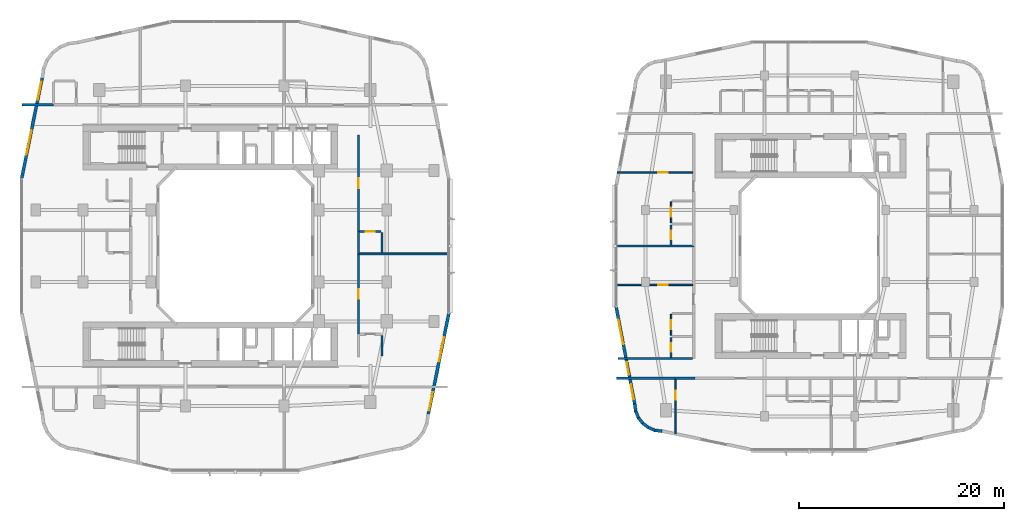
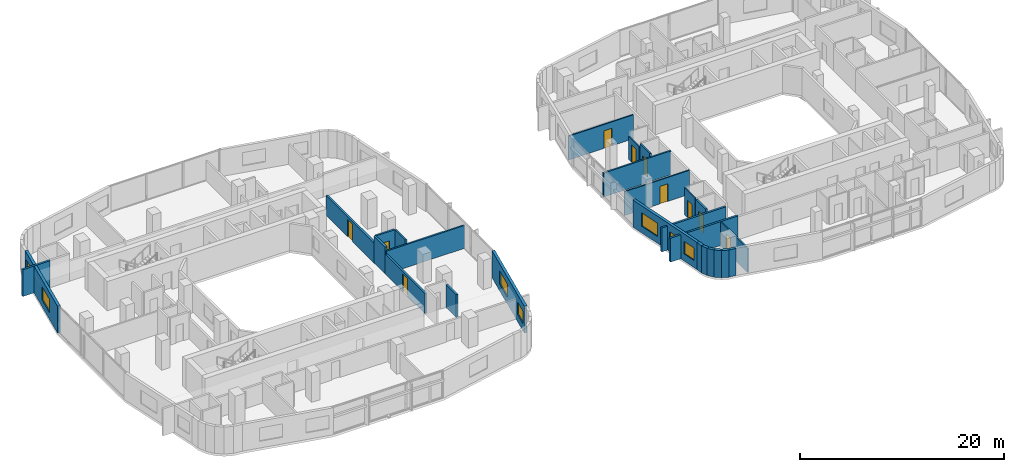
# One storey, part 15 of 26: 27 walls, 10 doors, 7 windows, 17 openings.
"""IFC4 building model written with IfcOpenShell, lengths in metres."""

import ifcopenshell
import ifcopenshell.guid

model = None  # the IFC model being written
_history = None  # IfcOwnerHistory: only IFC2X3 demands one
_inside = {}  # id of a spatial element -> (the spatial element, [elements in it])
_under = {}  # id of a project, library or spatial element -> (it, [spatial elements below it])
_declared = {}  # id of a project -> (the project, [libraries it declares])
_typed = {}  # id of a type object -> (the type object, [elements of that type])
_made_of = {}  # id of a material, layer set ... -> (it, [elements and type objects made of it])


def new_model(schema):
    """Start an empty IFC model of exactly this schema.

    Asked for "IFC4X3", IfcOpenShell would pick the latest addendum, in which some entities
    have other attributes; the version numbers below select the first issue.
    IFC2X3 requires an IfcOwnerHistory on every rooted entity: one is made here for all.
    """
    global model, _history
    if schema == "IFC4X3":
        model = ifcopenshell.file(schema_version=(4, 3, 0, 0))
    else:
        model = ifcopenshell.file(schema=schema)
    _inside.clear()
    _under.clear()
    _declared.clear()
    _typed.clear()
    _made_of.clear()
    _history = None
    if model.schema == "IFC2X3":
        org = make("IfcOrganization", Name="unknown")
        user = make(
            "IfcPersonAndOrganization",
            ThePerson=make("IfcPerson", FamilyName="unknown"),
            TheOrganization=org,
        )
        app = make(
            "IfcApplication",
            ApplicationDeveloper=org,
            Version="unknown",
            ApplicationFullName="unknown",
            ApplicationIdentifier="unknown",
        )
        _history = make(
            "IfcOwnerHistory",
            OwningUser=user,
            OwningApplication=app,
            ChangeAction="ADDED",
            CreationDate=0,
        )
    return model


def make(cls, **values):
    """One entity of the class cls with the attributes given. An attribute that is None is left unset."""
    return model.create_entity(
        cls, **{name: value for name, value in values.items() if value is not None}
    )


def rooted(cls, **values):
    """An entity with a GlobalId (a new one), such as an element, a storey or a relation."""
    return make(cls, GlobalId=ifcopenshell.guid.new(), OwnerHistory=_history, **values)


def si_unit(unit_type, name, prefix=None):
    """IfcSIUnit, for example si_unit("LENGTHUNIT", "METRE", prefix="MILLI")."""
    return make("IfcSIUnit", UnitType=unit_type, Prefix=prefix, Name=name)


def derived_unit(unit_type, elements):
    """IfcDerivedUnit: a product of units, each with its exponent."""
    return make(
        "IfcDerivedUnit",
        Elements=[
            make("IfcDerivedUnitElement", Unit=unit, Exponent=power)
            for unit, power in elements
        ],
        UnitType=unit_type,
    )


def assignment(units):
    """IfcUnitAssignment: the units of a project."""
    return None if units is None else make("IfcUnitAssignment", Units=units)


def point(xyz):
    """IfcCartesianPoint."""
    return None if xyz is None else make("IfcCartesianPoint", Coordinates=xyz)


def direction(xyz):
    """IfcDirection."""
    return None if xyz is None else make("IfcDirection", DirectionRatios=xyz)


def frame(location, z_axis=None, x_axis=None):
    """IfcAxis2Placement3D, a coordinate frame: its origin and axes. An axis left out is left unset."""
    return make(
        "IfcAxis2Placement3D",
        Location=point(location),
        Axis=direction(z_axis),
        RefDirection=direction(x_axis),
    )


def frame_2d(location, x_axis=None):
    """IfcAxis2Placement2D, a coordinate frame in the plane: its origin and x axis."""
    return make(
        "IfcAxis2Placement2D", Location=point(location), RefDirection=direction(x_axis)
    )


def origin():
    """The frame at (0, 0, 0) with its axes left unset."""
    return frame((0.0, 0.0, 0.0))


def place(relative_to, where):
    """IfcLocalPlacement: puts the frame where relative to a parent placement (None: the world)."""
    return make(
        "IfcLocalPlacement", PlacementRelTo=relative_to, RelativePlacement=where
    )


def context(
    kind, dimensions, precision=None, world=None, true_north=None, identifier=None
):
    """IfcGeometricRepresentationContext, for example the 3D "Model" context."""
    return make(
        "IfcGeometricRepresentationContext",
        ContextIdentifier=identifier,
        ContextType=kind,
        CoordinateSpaceDimension=dimensions,
        Precision=precision,
        WorldCoordinateSystem=world,
        TrueNorth=true_north,
    )


def subcontext(parent, identifier, kind, view, scale=None):
    """IfcGeometricRepresentationSubContext, for example "Body" below "Model"."""
    return make(
        "IfcGeometricRepresentationSubContext",
        ContextIdentifier=identifier,
        ContextType=kind,
        ParentContext=parent,
        TargetScale=scale,
        TargetView=view,
    )


def project(units=None, contexts=None):
    """IfcProject with its units and contexts."""
    return rooted(
        "IfcProject",
        Name="project",
        RepresentationContexts=contexts,
        UnitsInContext=assignment(units),
    )


def spatial(cls, under=None, at=None, **own):
    """A site, building, storey or space (cls), placed at a placement, below another one or the project."""
    s = rooted(cls, ObjectPlacement=at, **own)
    if under is not None:
        _under.setdefault(under.id(), (under, []))[1].append(s)
    return s


def profile(cls, at=None, kind="AREA", **sizes):
    """A parametric profile (cls). Its sizes go by their IFC names, for example OverallWidth=200.0."""
    return make(cls, ProfileType=kind, Position=at, **sizes)


def rectangle(**sizes):
    """IfcRectangleProfileDef."""
    return profile("IfcRectangleProfileDef", **sizes)


def extrude(swept, where, along, depth):
    """IfcExtrudedAreaSolid: the profile swept, set in the frame where, extruded along a direction by depth."""
    return make(
        "IfcExtrudedAreaSolid",
        SweptArea=swept,
        Position=where,
        ExtrudedDirection=direction(along),
        Depth=depth,
    )


def shape(context_of_items, identifier, shape_type, items):
    """IfcShapeRepresentation: the items that make up one representation, for example the "Body"."""
    return make(
        "IfcShapeRepresentation",
        ContextOfItems=context_of_items,
        RepresentationIdentifier=identifier,
        RepresentationType=shape_type,
        Items=items,
    )


def material(Name=None, Category=None):
    """IfcMaterial."""
    return make("IfcMaterial", Name=Name, Category=Category)


def layer(
    of_material, thickness, ventilated=None, Name=None, Category=None, Priority=None
):
    """IfcMaterialLayer: one layer of a wall or slab, of a material (None: an air gap)."""
    return make(
        "IfcMaterialLayer",
        Material=of_material,
        LayerThickness=thickness,
        IsVentilated=ventilated,
        Name=Name,
        Category=Category,
        Priority=Priority,
    )


def layer_set(layers, Name=None):
    """IfcMaterialLayerSet."""
    return make("IfcMaterialLayerSet", MaterialLayers=layers, LayerSetName=Name)


def made_of(thing, what):
    """Note that an element or type object is made of a material, layer set ...; save() writes the relation."""
    if what is not None:
        _made_of.setdefault(what.id(), (what, []))[1].append(thing)
    return thing


def type_object(cls, material=None, **own):
    """A type object (cls), such as IfcWallType, which elements share."""
    return made_of(rooted(cls, **own), material)


def element(
    cls,
    number,
    at=None,
    inside=None,
    cuts=None,
    type_object=None,
    material=None,
    context=None,
    identifier="Body",
    shape_type=None,
    held_by="IfcProductDefinitionShape",
    body=None,
    shapes=None,
    **own,
):
    """One element of the class cls, such as IfcWall. Its Tag is "e" and its number.

    at: its placement. inside: the storey or other place that contains it. cuts: it is an
    opening in that element (IfcRelVoidsElement). A single representation is given by context,
    identifier, shape_type and body (its items); several are given by shapes. held_by: the class
    of the entity that holds the representations. save() writes the other relations.
    """
    e = rooted(cls, Tag="e%d" % number, ObjectPlacement=at, **own)
    if body is not None:
        shapes = [shape(context, identifier, shape_type, body)]
    if shapes is not None:
        e.Representation = make(held_by, Representations=shapes)
    if inside is not None:
        _inside.setdefault(inside.id(), (inside, []))[1].append(e)
    if cuts is not None:
        rooted(
            "IfcRelVoidsElement", RelatingBuildingElement=cuts, RelatedOpeningElement=e
        )
    if type_object is not None:
        _typed.setdefault(type_object.id(), (type_object, []))[1].append(e)
    return made_of(e, material)


def fill(opening, filler):
    """IfcRelFillsElement: the door or window that sits in an opening."""
    return rooted(
        "IfcRelFillsElement",
        RelatingOpeningElement=opening,
        RelatedBuildingElement=filler,
    )


def aggregate(whole, parts):
    """IfcRelAggregates: a whole, such as a stair, and the parts it consists of."""
    return rooted("IfcRelAggregates", RelatingObject=whole, RelatedObjects=parts)


def save(model, path):
    """Write the relations noted so far, then the file.

    IfcRelAggregates (storeys below a building ...), IfcRelContainedInSpatialStructure (elements
    in a storey), IfcRelDefinesByType, IfcRelAssociatesMaterial and IfcRelDeclares: one each for
    every whole, place, type object, material and project.
    """
    for whole, parts in _under.values():
        aggregate(whole, parts)
    for where, things in _inside.values():
        rooted(
            "IfcRelContainedInSpatialStructure",
            RelatedElements=things,
            RelatingStructure=where,
        )
    for kind, things in _typed.values():
        rooted("IfcRelDefinesByType", RelatedObjects=things, RelatingType=kind)
    for what, things in _made_of.values():
        rooted("IfcRelAssociatesMaterial", RelatedObjects=things, RelatingMaterial=what)
    for by, libraries in _declared.values():
        rooted("IfcRelDeclares", RelatingContext=by, RelatedDefinitions=libraries)
    model.write(path)


model = new_model("IFC4")

# Units and contexts
model_context = context("Model", 3, precision=1e-05, world=origin(), true_north=direction((0.0, 1.0)))
body_context = subcontext(model_context, "Body", "Model", "MODEL_VIEW")
ifc_project = project(units=[si_unit("LENGTHUNIT", "METRE"), si_unit("AREAUNIT", "SQUARE_METRE"), si_unit("VOLUMEUNIT", "CUBIC_METRE"), si_unit("PLANEANGLEUNIT", "RADIAN"), si_unit("MASSUNIT", "GRAM", prefix="KILO"), derived_unit("THERMALTRANSMITTANCEUNIT", [(si_unit("POWERUNIT", "WATT"), 1), (si_unit("LENGTHUNIT", "METRE"), -2), (si_unit("THERMODYNAMICTEMPERATUREUNIT", "KELVIN"), -1)])], contexts=[model_context])

# Site, building, storey
site_placement = place(None, origin())
site = spatial("IfcSite", under=ifc_project, at=site_placement, CompositionType="ELEMENT")
building_placement = place(site_placement, origin())
building = spatial("IfcBuilding", under=site, at=building_placement, Name="Kivonza Crest Hotel", CompositionType="ELEMENT")
storey_placement = place(building_placement, frame((0.0, 0.0, 45.0)))
storey = spatial("IfcBuildingStorey", under=building, at=storey_placement, Name="L11", CompositionType="ELEMENT", Elevation=45.0)

# Walls
ifc_material_1 = material(Name="High-density acoustic masonry inter-tenancy wall", Category="masonry")
ifc_layer_1 = layer(ifc_material_1, 0.179931640625)
ifc_layer_set_1 = layer_set([ifc_layer_1], Name="High-density acoustic masonry inter-tenancy wall")
wall_type_1 = type_object("IfcWallType", Name="WL-ACOU-180", PredefinedType="SOLIDWALL", material=ifc_layer_set_1)
wall_1_placement = place(storey_placement, frame((33.050048828125, 24.22998046875, 0.0), z_axis=(0.0, 0.0, 1.0), x_axis=(1.0, 0.0, 0.0)))
element("IfcWall", 1, at=wall_1_placement, inside=storey, type_object=wall_type_1, Name="L11 interior partition WA-L11-T1E-DIV1", PredefinedType="SOLIDWALL", context=body_context, shape_type="SweptSolid", body=[
    extrude(rectangle(XDim=8.889892578125, YDim=0.179931640625, at=frame_2d((4.44482421875, 0.0))), origin(), (0.0, 0.0, 1.0), 2.7451171875),
])
wall_2_placement = place(storey_placement, frame((58.06005859375, 25.0, 0.0), z_axis=(0.0, 0.0, 1.0), x_axis=(1.0, 0.0, 0.0)))
element("IfcWall", 2, at=wall_2_placement, inside=storey, type_object=wall_type_1, Name="L11 interior partition WA-L11-T2W-DIV1", PredefinedType="SOLIDWALL", context=body_context, shape_type="SweptSolid", body=[
    extrude(rectangle(XDim=7.639892578125, YDim=0.179931640625, at=frame_2d((3.81982421875, 0.0))), origin(), (0.0, 0.0, 1.0), 2.864990234375),
])
ifc_material_2 = material(Name="Autoclaved aerated concrete blockwork", Category="masonry")
ifc_layer_2 = layer(ifc_material_2, 0.219970703125)
ifc_layer_set_2 = layer_set([ifc_layer_2], Name="Autoclaved aerated concrete blockwork")
wall_type_2 = type_object("IfcWallType", Name="WL-ACOU-220", PredefinedType="SOLIDWALL", material=ifc_layer_set_2)
wall_3_placement = place(storey_placement, frame((0.239990234375, 38.75, 0.0), z_axis=(0.0, 0.0, 1.0), x_axis=(1.0, 0.0, 0.0)))
element("IfcWall", 3, at=wall_3_placement, inside=storey, type_object=wall_type_2, Name="L11 interior partition WA-L11-N01-XCORR", PredefinedType="SOLIDWALL", context=body_context, shape_type="SweptSolid", body=[
    extrude(rectangle(XDim=3.110107421875, YDim=0.219970703125, at=frame_2d((1.55517578125, 0.0))), origin(), (0.0, 0.0, 1.0), 3.219970703125),
])

# Wall, opening, door
wall_4_placement = place(storey_placement, frame((33.050048828125, 16.39990234375, 0.0), z_axis=(0.0, 0.0, 1.0), x_axis=(0.0, 1.0, 0.0)))
wall_4 = element("IfcWall", 4, at=wall_4_placement, inside=storey, type_object=wall_type_2, Name="L11 interior partition WA-L11-E07-MCORR", PredefinedType="SOLIDWALL", context=body_context, shape_type="SweptSolid", body=[
    extrude(rectangle(XDim=7.830078125, YDim=0.219970703125, at=frame_2d((3.9150390625, 0.0))), origin(), (0.0, 0.0, 1.0), 2.39501953125),
])
opening_1_placement = place(wall_4_placement, frame((3.43994140625, 0.0, 0.0)))
opening_1 = element("IfcOpeningElement", 5, at=opening_1_placement, cuts=wall_4, Name="Opening DU-60", PredefinedType="OPENING", context=body_context, shape_type="SweptSolid", body=[
    extrude(rectangle(XDim=0.949951171875, YDim=2.10009765625, at=frame_2d((0.47509765625, 1.050048828125))), frame((0.0, 0.1201171875, 0.0), z_axis=(0.0, -1.0, 0.0), x_axis=(1.0, 0.0, 0.0)), (0.0, 0.0, 1.0), 0.239990234375),
])
ifc_material_3 = material(Name="Hardwood timber oak", Category="wood")
door_type_1 = type_object("IfcDoorType", Name="DR-UNIT-950", OperationType="NOTDEFINED", PredefinedType="DOOR", material=ifc_material_3)
door_1_placement = place(opening_1_placement, frame((0.949951171875, 0.0, 0.0), z_axis=(0.0, 0.0, 1.0), x_axis=(-1.0, 0.0, 0.0)))
door_1 = element("IfcDoor", 6, at=door_1_placement, inside=storey, type_object=door_type_1, Name="L11 E07 guest unit entrance fire door", OperationType="SINGLE_SWING_LEFT", OverallHeight=2.10009765625, OverallWidth=0.949951171875, PredefinedType="DOOR", context=body_context, shape_type="SweptSolid", body=[
    extrude(rectangle(XDim=0.949951171875, YDim=2.10009765625, at=frame_2d((0.47509765625, 1.050048828125))), frame((0.0, 0.02490234375, 0.0), z_axis=(0.0, -1.0, 0.0), x_axis=(1.0, 0.0, 0.0)), (0.0, 0.0, 1.0), 0.050048828125),
])
fill(opening_1, door_1)

# Wall
wall_5_placement = place(storey_placement, frame((33.050048828125, 24.22998046875, 0.0), z_axis=(0.0, 0.0, 1.0), x_axis=(0.0, 1.0, 0.0)))
element("IfcWall", 7, at=wall_5_placement, inside=storey, type_object=wall_type_2, Name="L11 interior partition WA-L11-E08-BCORR", PredefinedType="SOLIDWALL", context=body_context, shape_type="SweptSolid", body=[
    extrude(rectangle(XDim=2.199951171875, YDim=0.219970703125, at=frame_2d((1.10009765625, 0.0))), origin(), (0.0, 0.0, 1.0), 3.219970703125),
])

# Wall, opening, door
wall_6_placement = place(storey_placement, frame((33.050048828125, 26.429931640625, 0.0), z_axis=(0.0, 0.0, 1.0), x_axis=(0.0, 1.0, 0.0)))
wall_6 = element("IfcWall", 8, at=wall_6_placement, inside=storey, type_object=wall_type_2, Name="L11 interior partition WA-L11-E08-MCORR", PredefinedType="SOLIDWALL", context=body_context, shape_type="SweptSolid", body=[
    extrude(rectangle(XDim=9.3701171875, YDim=0.219970703125, at=frame_2d((4.68505859375, 0.0))), origin(), (0.0, 0.0, 1.0), 2.39501953125),
])
opening_2_placement = place(wall_6_placement, frame((4.2099609375, 0.0, 0.0)))
opening_2 = element("IfcOpeningElement", 9, at=opening_2_placement, cuts=wall_6, Name="Opening DU-60", PredefinedType="OPENING", context=body_context, shape_type="SweptSolid", body=[
    extrude(rectangle(XDim=0.949951171875, YDim=2.10009765625, at=frame_2d((0.47509765625, 1.050048828125))), frame((0.0, 0.1201171875, 0.0), z_axis=(0.0, -1.0, 0.0), x_axis=(1.0, 0.0, 0.0)), (0.0, 0.0, 1.0), 0.239990234375),
])
door_2_placement = place(opening_2_placement, frame((0.949951171875, 0.0, 0.0), z_axis=(0.0, 0.0, 1.0), x_axis=(-1.0, 0.0, 0.0)))
door_2 = element("IfcDoor", 10, at=door_2_placement, inside=storey, type_object=door_type_1, Name="L11 E08 guest unit entrance fire door", OperationType="SINGLE_SWING_RIGHT", OverallHeight=2.10009765625, OverallWidth=0.949951171875, PredefinedType="DOOR", context=body_context, shape_type="SweptSolid", body=[
    extrude(rectangle(XDim=0.949951171875, YDim=2.10009765625, at=frame_2d((0.47509765625, 1.050048828125))), frame((0.0, 0.02490234375, 0.0), z_axis=(0.0, -1.0, 0.0), x_axis=(1.0, 0.0, 0.0)), (0.0, 0.0, 1.0), 0.050048828125),
])
fill(opening_2, door_2)

# Walls
wall_7_placement = place(storey_placement, frame((58.159912109375, 12.10009765625, 0.0), z_axis=(0.0, 0.0, 1.0), x_axis=(1.0, 0.0, 0.0)))
element("IfcWall", 11, at=wall_7_placement, inside=storey, type_object=wall_type_2, Name="L11 interior partition WA-L11-A03-LCORR", PredefinedType="SOLIDWALL", context=body_context, shape_type="SweptSolid", body=[
    extrude(rectangle(XDim=7.690185546875, YDim=0.219970703125, at=frame_2d((3.84521484375, 0.0))), origin(), (0.0, 0.0, 1.0), 2.864990234375),
])
wall_8_placement = place(storey_placement, frame((58.320068359375, 14.0400390625, 0.0), z_axis=(0.0, 0.0, 1.0), x_axis=(1.0, 0.0, 0.0)))
element("IfcWall", 12, at=wall_8_placement, inside=storey, type_object=wall_type_2, Name="L11 interior partition WA-L11-T2W-ENDS", PredefinedType="SOLIDWALL", context=body_context, shape_type="SweptSolid", body=[
    extrude(rectangle(XDim=7.280029296875, YDim=0.219970703125, at=frame_2d((3.64013671875, 0.0))), origin(), (0.0, 0.0, 1.0), 2.864990234375),
])

# Wall, openings, windows
ifc_material_4 = material(Name="Precast concrete C40/50", Category="concrete")
ifc_layer_3 = layer(ifc_material_4, 0.300048828125)
ifc_layer_set_3 = layer_set([ifc_layer_3], Name="Precast concrete C40/50")
wall_type_3 = type_object("IfcWallType", Name="WL-EXT-300", PredefinedType="STANDARD", material=ifc_layer_set_3)
wall_9_placement = place(storey_placement, frame((39.85107421875, 8.6220703125, 0.0), z_axis=(0.0, 0.0, 1.0), x_axis=(0.199990901713, 0.979797754249, 0.0)))
wall_9 = element("IfcWall", 13, at=wall_9_placement, inside=storey, type_object=wall_type_3, Name="L11 T1 exterior insulated wall 16", PredefinedType="STANDARD", context=body_context, shape_type="SweptSolid", body=[
    extrude(rectangle(XDim=10.065185546875, YDim=0.300048828125, at=frame_2d((5.03271484375, 0.0))), origin(), (0.0, 0.0, 1.0), 3.219970703125),
])
opening_3_placement = place(wall_9_placement, frame((0.3779296875, 0.0, 0.85009765625)))
opening_3 = element("IfcOpeningElement", 14, at=opening_3_placement, cuts=wall_9, Name="Opening WN-03", PredefinedType="OPENING", context=body_context, shape_type="SweptSolid", body=[
    extrude(rectangle(XDim=1.800048828125, YDim=1.5, at=frame_2d((0.89990234375, 0.75))), frame((0.0, 0.16015625, 0.0), z_axis=(0.0, -1.0, 0.0), x_axis=(1.0, 0.0, 0.0)), (0.0, 0.0, 1.0), 0.320068359375),
])
opening_4_placement = place(wall_9_placement, frame((5.236083984375, 0.0, 0.800048828125)))
opening_4 = element("IfcOpeningElement", 15, at=opening_4_placement, cuts=wall_9, Name="Opening WN-05", PredefinedType="OPENING", context=body_context, shape_type="SweptSolid", body=[
    extrude(rectangle(XDim=2.39990234375, YDim=1.60009765625, at=frame_2d((1.199951171875, 0.800048828125))), frame((0.0, 0.16015625, 0.0), z_axis=(0.0, -1.0, 0.0), x_axis=(1.0, 0.0, 0.0)), (0.0, 0.0, 1.0), 0.320068359375),
])
ifc_material_5 = material(Name="Thermally broken bronze aluminium and low-E double glazing", Category="aluminium")
window_type_1 = type_object("IfcWindowType", Name="WN-180x150", PartitioningType="DOUBLE_PANEL_VERTICAL", PredefinedType="WINDOW", material=ifc_material_5)
window_1_placement = place(opening_3_placement, origin())
window_1 = element("IfcWindow", 16, at=window_1_placement, inside=storey, type_object=window_type_1, Name="L11 T1 facade window 16 bay 1", OverallHeight=1.5, OverallWidth=1.800048828125, PartitioningType="SINGLE_PANEL", PredefinedType="WINDOW", context=body_context, shape_type="SweptSolid", body=[
    extrude(rectangle(XDim=1.800048828125, YDim=1.5, at=frame_2d((0.89990234375, 0.75))), frame((0.0, 0.030029296875, 0.0), z_axis=(0.0, -1.0, 0.0), x_axis=(1.0, 0.0, 0.0)), (0.0, 0.0, 1.0), 0.06005859375),
])
fill(opening_3, window_1)
window_type_2 = type_object("IfcWindowType", Name="WN-240x160", PartitioningType="TRIPLE_PANEL_VERTICAL", PredefinedType="WINDOW", material=ifc_material_5)
window_2_placement = place(opening_4_placement, origin())
window_2 = element("IfcWindow", 17, at=window_2_placement, inside=storey, type_object=window_type_2, Name="L11 T1 facade window 16 bay 2", OverallHeight=1.60009765625, OverallWidth=2.39990234375, PartitioningType="SINGLE_PANEL", PredefinedType="WINDOW", context=body_context, shape_type="SweptSolid", body=[
    extrude(rectangle(XDim=2.39990234375, YDim=1.60009765625, at=frame_2d((1.199951171875, 0.800048828125))), frame((0.0, 0.030029296875, 0.0), z_axis=(0.0, -1.0, 0.0), x_axis=(1.0, 0.0, 0.0)), (0.0, 0.0, 1.0), 0.06005859375),
])
fill(opening_4, window_2)

wall_10_placement = place(storey_placement, frame((2.22900390625, 41.3779296875, 0.0), z_axis=(0.0, 0.0, 1.0), x_axis=(-0.199990901713, -0.979797754249, 0.0)))
wall_10 = element("IfcWall", 18, at=wall_10_placement, inside=storey, type_object=wall_type_3, Name="L11 T1 exterior insulated wall 34", PredefinedType="STANDARD", context=body_context, shape_type="SweptSolid", body=[
    extrude(rectangle(XDim=10.065185546875, YDim=0.300048828125, at=frame_2d((5.03271484375, 0.0))), origin(), (0.0, 0.0, 1.0), 3.219970703125),
])
opening_5_placement = place(wall_10_placement, frame((0.3779296875, 0.0, 0.85009765625)))
opening_5 = element("IfcOpeningElement", 19, at=opening_5_placement, cuts=wall_10, Name="Opening WN-03", PredefinedType="OPENING", context=body_context, shape_type="SweptSolid", body=[
    extrude(rectangle(XDim=1.800048828125, YDim=1.5, at=frame_2d((0.89990234375, 0.75))), frame((0.0, 0.16015625, 0.0), z_axis=(0.0, -1.0, 0.0), x_axis=(1.0, 0.0, 0.0)), (0.0, 0.0, 1.0), 0.320068359375),
])
opening_6_placement = place(wall_10_placement, frame((5.236083984375, 0.0, 0.800048828125)))
opening_6 = element("IfcOpeningElement", 20, at=opening_6_placement, cuts=wall_10, Name="Opening WN-05", PredefinedType="OPENING", context=body_context, shape_type="SweptSolid", body=[
    extrude(rectangle(XDim=2.39990234375, YDim=1.60009765625, at=frame_2d((1.199951171875, 0.800048828125))), frame((0.0, 0.16015625, 0.0), z_axis=(0.0, -1.0, 0.0), x_axis=(1.0, 0.0, 0.0)), (0.0, 0.0, 1.0), 0.320068359375),
])
window_3_placement = place(opening_5_placement, origin())
window_3 = element("IfcWindow", 21, at=window_3_placement, inside=storey, type_object=window_type_1, Name="L11 T1 facade window 34 bay 1", OverallHeight=1.5, OverallWidth=1.800048828125, PartitioningType="SINGLE_PANEL", PredefinedType="WINDOW", context=body_context, shape_type="SweptSolid", body=[
    extrude(rectangle(XDim=1.800048828125, YDim=1.5, at=frame_2d((0.89990234375, 0.75))), frame((0.0, 0.030029296875, 0.0), z_axis=(0.0, -1.0, 0.0), x_axis=(1.0, 0.0, 0.0)), (0.0, 0.0, 1.0), 0.06005859375),
])
fill(opening_5, window_3)
window_4_placement = place(opening_6_placement, origin())
window_4 = element("IfcWindow", 22, at=window_4_placement, inside=storey, type_object=window_type_2, Name="L11 T1 facade window 34 bay 2", OverallHeight=1.60009765625, OverallWidth=2.39990234375, PartitioningType="SINGLE_PANEL", PredefinedType="WINDOW", context=body_context, shape_type="SweptSolid", body=[
    extrude(rectangle(XDim=2.39990234375, YDim=1.60009765625, at=frame_2d((1.199951171875, 0.800048828125))), frame((0.0, 0.030029296875, 0.0), z_axis=(0.0, -1.0, 0.0), x_axis=(1.0, 0.0, 0.0)), (0.0, 0.0, 1.0), 0.06005859375),
])
fill(opening_6, window_4)

# Walls
wall_11_placement = place(storey_placement, frame((59.947998046875, 9.626953125, 0.0), z_axis=(0.0, 0.0, 1.0), x_axis=(0.130255288807, -0.991480488834, 0.0)))
element("IfcWall", 23, at=wall_11_placement, inside=storey, type_object=wall_type_3, Name="L11 T2 exterior insulated wall 1", PredefinedType="STANDARD", context=body_context, shape_type="SweptSolid", body=[
    extrude(rectangle(XDim=0.72900390625, YDim=0.300048828125, at=frame_2d((0.364501953125, 0.0))), origin(), (0.0, 0.0, 1.0), 3.25),
])
for number, where, z_axis, x_axis, name in (
    (24, (60.02392578125, 8.955078125, 0.0), (0.0, 0.0, 1.0), (0.383546213491, -0.923521684703, 0.0), "L11 T2 exterior insulated wall 2"),
    (25, (60.279052734375, 8.31103515625, 0.0), (0.0, 0.0, 1.0), (0.608397189915, -0.79363269798, 0.0), "L11 T2 exterior insulated wall 3"),
    (26, (60.69091796875, 7.75390625, 0.0), (0.0, 0.0, 1.0), (0.79363269798, -0.608397189915, 0.0), "L11 T2 exterior insulated wall 4"),
    (27, (61.23388671875, 7.323974609375, 0.0), (0.0, 0.0, 1.0), (0.923685632463, -0.383151213466, 0.0), "L11 T2 exterior insulated wall 5"),
):
    element("IfcWall", number, at=place(storey_placement, frame(where, z_axis=z_axis, x_axis=x_axis)), inside=storey, type_object=wall_type_3, Name=name, PredefinedType="STANDARD", context=body_context, shape_type="SweptSolid", body=[
        extrude(rectangle(XDim=0.74609375, YDim=0.300048828125, at=frame_2d((0.373046875, 0.0))), origin(), (0.0, 0.0, 1.0), 3.25),
    ])
wall_12_placement = place(storey_placement, frame((61.868896484375, 7.047119140625, 0.0), z_axis=(0.0, 0.0, 1.0), x_axis=(0.991559404866, -0.129653178221, 0.0)))
element("IfcWall", 28, at=wall_12_placement, inside=storey, type_object=wall_type_3, Name="L11 T2 exterior insulated wall 6", PredefinedType="STANDARD", context=body_context, shape_type="SweptSolid", body=[
    extrude(rectangle(XDim=0.764404296875, YDim=0.300048828125, at=frame_2d((0.38232421875, 0.0))), origin(), (0.0, 0.0, 1.0), 3.25),
])

# Wall, openings, windows
wall_13_placement = place(storey_placement, frame((58.136962890625, 19.08203125, 0.0), z_axis=(0.0, 0.0, 1.0), x_axis=(0.188087874316, -0.982152203854, 0.0)))
wall_13 = element("IfcWall", 29, at=wall_13_placement, inside=storey, type_object=wall_type_3, Name="L11 T2 exterior insulated wall 36", PredefinedType="STANDARD", context=body_context, shape_type="SweptSolid", body=[
    extrude(rectangle(XDim=9.6337890625, YDim=0.300048828125, at=frame_2d((4.81689453125, 0.0))), origin(), (0.0, 0.0, 1.0), 3.25),
])
opening_7_placement = place(wall_13_placement, frame((1.305908203125, 0.0, 0.800048828125)))
opening_7 = element("IfcOpeningElement", 30, at=opening_7_placement, cuts=wall_13, Name="Opening WN-05", PredefinedType="OPENING", context=body_context, shape_type="SweptSolid", body=[
    extrude(rectangle(XDim=2.39990234375, YDim=1.60009765625, at=frame_2d((1.199951171875, 0.800048828125))), frame((0.0, 0.16015625, 0.0), z_axis=(0.0, -1.0, 0.0), x_axis=(1.0, 0.0, 0.0)), (0.0, 0.0, 1.0), 0.320068359375),
])
opening_8_placement = place(wall_13_placement, frame((5.52099609375, 0.0, 0.85009765625)))
opening_8 = element("IfcOpeningElement", 31, at=opening_8_placement, cuts=wall_13, Name="Opening WN-01", PredefinedType="OPENING", context=body_context, shape_type="SweptSolid", body=[
    extrude(rectangle(XDim=1.199951171875, YDim=1.5, at=frame_2d((0.60009765625, 0.75))), frame((0.0, 0.16015625, 0.0), z_axis=(0.0, -1.0, 0.0), x_axis=(1.0, 0.0, 0.0)), (0.0, 0.0, 1.0), 0.320068359375),
])
opening_9_placement = place(wall_13_placement, frame((7.681884765625, 0.0, 0.85009765625)))
opening_9 = element("IfcOpeningElement", 32, at=opening_9_placement, cuts=wall_13, Name="Opening WN-02", PredefinedType="OPENING", context=body_context, shape_type="SweptSolid", body=[
    extrude(rectangle(XDim=1.5, YDim=1.5, at=frame_2d((0.75, 0.75))), frame((0.0, 0.16015625, 0.0), z_axis=(0.0, -1.0, 0.0), x_axis=(1.0, 0.0, 0.0)), (0.0, 0.0, 1.0), 0.320068359375),
])
window_type_3 = type_object("IfcWindowType", Name="WN-120x150", PartitioningType="SINGLE_PANEL", PredefinedType="WINDOW", material=ifc_material_5)
window_5_placement = place(opening_8_placement, origin())
window_5 = element("IfcWindow", 33, at=window_5_placement, inside=storey, type_object=window_type_3, Name="L11 T2 facade window 36 bay 2", OverallHeight=1.5, OverallWidth=1.199951171875, PartitioningType="SINGLE_PANEL", PredefinedType="WINDOW", context=body_context, shape_type="SweptSolid", body=[
    extrude(rectangle(XDim=1.199951171875, YDim=1.5, at=frame_2d((0.60009765625, 0.75))), frame((0.0, 0.030029296875, 0.0), z_axis=(0.0, -1.0, 0.0), x_axis=(1.0, 0.0, 0.0)), (0.0, 0.0, 1.0), 0.06005859375),
])
fill(opening_8, window_5)
window_type_4 = type_object("IfcWindowType", Name="WN-150x150", PartitioningType="DOUBLE_PANEL_VERTICAL", PredefinedType="WINDOW", material=ifc_material_5)
window_6_placement = place(opening_9_placement, origin())
window_6 = element("IfcWindow", 34, at=window_6_placement, inside=storey, type_object=window_type_4, Name="L11 T2 facade window 36 bay 3", OverallHeight=1.5, OverallWidth=1.5, PartitioningType="SINGLE_PANEL", PredefinedType="WINDOW", context=body_context, shape_type="SweptSolid", body=[
    extrude(rectangle(XDim=1.5, YDim=1.5, at=frame_2d((0.75, 0.75))), frame((0.0, 0.030029296875, 0.0), z_axis=(0.0, -1.0, 0.0), x_axis=(1.0, 0.0, 0.0)), (0.0, 0.0, 1.0), 0.06005859375),
])
fill(opening_9, window_6)
window_7_placement = place(opening_7_placement, origin())
window_7 = element("IfcWindow", 35, at=window_7_placement, inside=storey, type_object=window_type_2, Name="L11 T2 facade window 36 bay 1", OverallHeight=1.60009765625, OverallWidth=2.39990234375, PartitioningType="SINGLE_PANEL", PredefinedType="WINDOW", context=body_context, shape_type="SweptSolid", body=[
    extrude(rectangle(XDim=2.39990234375, YDim=1.60009765625, at=frame_2d((1.199951171875, 0.800048828125))), frame((0.0, 0.030029296875, 0.0), z_axis=(0.0, -1.0, 0.0), x_axis=(1.0, 0.0, 0.0)), (0.0, 0.0, 1.0), 0.06005859375),
])
fill(opening_7, window_7)

# Wall, opening, door
ifc_material_6 = material(Name="Twin-stud acoustic gypsum board partition", Category="gypsum")
ifc_layer_4 = layer(ifc_material_6, 0.14990234375)
ifc_layer_set_4 = layer_set([ifc_layer_4], Name="Twin-stud acoustic gypsum board partition")
wall_type_4 = type_object("IfcWallType", Name="WL-PART-150", PredefinedType="PARTITIONING", material=ifc_layer_set_4)
wall_14_placement = place(storey_placement, frame((63.909912109375, 6.68896484375, 0.0), z_axis=(0.0, 0.0, 1.0), x_axis=(0.0, 1.0, 0.0)))
wall_14 = element("IfcWall", 36, at=wall_14_placement, inside=storey, type_object=wall_type_4, Name="L11 interior partition WP-L11-A03-BDW1", PredefinedType="PARTITIONING", context=body_context, shape_type="SweptSolid", body=[
    extrude(rectangle(XDim=5.31103515625, YDim=0.14990234375, at=frame_2d((2.655517578125, 0.0))), origin(), (0.0, 0.0, 1.0), 2.864990234375),
])
opening_10_placement = place(wall_14_placement, frame((3.31005859375, 0.0, 0.0)))
opening_10 = element("IfcOpeningElement", 37, at=opening_10_placement, cuts=wall_14, Name="Opening DI-90", PredefinedType="OPENING", context=body_context, shape_type="SweptSolid", body=[
    extrude(rectangle(XDim=0.89990234375, YDim=2.10009765625, at=frame_2d((0.449951171875, 1.050048828125))), frame((0.0, 0.0849609375, 0.0), z_axis=(0.0, -1.0, 0.0), x_axis=(1.0, 0.0, 0.0)), (0.0, 0.0, 1.0), 0.169921875),
])
door_type_2 = type_object("IfcDoorType", Name="DR-INT-900", OperationType="NOTDEFINED", PredefinedType="DOOR", material=ifc_material_3)
door_3_placement = place(opening_10_placement, origin())
door_3 = element("IfcDoor", 38, at=door_3_placement, inside=storey, type_object=door_type_2, Name="L11 A03 bedroom 1 door", OperationType="SINGLE_SWING_RIGHT", OverallHeight=2.10009765625, OverallWidth=0.89990234375, PredefinedType="DOOR", context=body_context, shape_type="SweptSolid", body=[
    extrude(rectangle(XDim=0.89990234375, YDim=2.10009765625, at=frame_2d((0.449951171875, 1.050048828125))), frame((0.0, 0.02490234375, 0.0), z_axis=(0.0, -1.0, 0.0), x_axis=(1.0, 0.0, 0.0)), (0.0, 0.0, 1.0), 0.050048828125),
])
fill(opening_10, door_3)

wall_15_placement = place(storey_placement, frame((58.260009765625, 21.199951171875, 0.0), z_axis=(0.0, 0.0, 1.0), x_axis=(1.0, 0.0, 0.0)))
wall_15 = element("IfcWall", 39, at=wall_15_placement, inside=storey, type_object=wall_type_4, Name="L11 interior partition WP-L11-A05-BD1", PredefinedType="PARTITIONING", context=body_context, shape_type="SweptSolid", body=[
    extrude(rectangle(XDim=7.340087890625, YDim=0.14990234375, at=frame_2d((3.669921875, 0.0))), origin(), (0.0, 0.0, 1.0), 2.864990234375),
])
opening_11_placement = place(wall_15_placement, frame((3.989990234375, 0.0, 0.0)))
opening_11 = element("IfcOpeningElement", 40, at=opening_11_placement, cuts=wall_15, Name="Opening DI-90", PredefinedType="OPENING", context=body_context, shape_type="SweptSolid", body=[
    extrude(rectangle(XDim=0.89990234375, YDim=2.10009765625, at=frame_2d((0.449951171875, 1.050048828125))), frame((0.0, 0.0849609375, 0.0), z_axis=(0.0, -1.0, 0.0), x_axis=(1.0, 0.0, 0.0)), (0.0, 0.0, 1.0), 0.169921875),
])
door_4_placement = place(opening_11_placement, origin())
door_4 = element("IfcDoor", 41, at=door_4_placement, inside=storey, type_object=door_type_2, Name="L11 A05 bedroom door", OperationType="SINGLE_SWING_RIGHT", OverallHeight=2.10009765625, OverallWidth=0.89990234375, PredefinedType="DOOR", context=body_context, shape_type="SweptSolid", body=[
    extrude(rectangle(XDim=0.89990234375, YDim=2.10009765625, at=frame_2d((0.449951171875, 1.050048828125))), frame((0.0, 0.02490234375, 0.0), z_axis=(0.0, -1.0, 0.0), x_axis=(1.0, 0.0, 0.0)), (0.0, 0.0, 1.0), 0.050048828125),
])
fill(opening_11, door_4)

wall_16_placement = place(storey_placement, frame((63.5, 16.2900390625, 0.0), z_axis=(0.0, 0.0, 1.0), x_axis=(0.0, 1.0, 0.0)))
wall_16 = element("IfcWall", 42, at=wall_16_placement, inside=storey, type_object=wall_type_4, Name="L11 interior partition WP-L11-A05-KSVC", PredefinedType="PARTITIONING", context=body_context, shape_type="SweptSolid", body=[
    extrude(rectangle(XDim=2.050048828125, YDim=0.14990234375, at=frame_2d((1.02490234375, 0.0))), origin(), (0.0, 0.0, 1.0), 3.219970703125),
])
opening_12_placement = place(wall_16_placement, frame((0.574951171875, 0.0, 0.0)))
opening_12 = element("IfcOpeningElement", 43, at=opening_12_placement, cuts=wall_16, Name="Opening DI-90", PredefinedType="OPENING", context=body_context, shape_type="SweptSolid", body=[
    extrude(rectangle(XDim=0.89990234375, YDim=2.10009765625, at=frame_2d((0.449951171875, 1.050048828125))), frame((0.0, 0.0849609375, 0.0), z_axis=(0.0, -1.0, 0.0), x_axis=(1.0, 0.0, 0.0)), (0.0, 0.0, 1.0), 0.169921875),
])
door_5_placement = place(opening_12_placement, origin())
door_5 = element("IfcDoor", 44, at=door_5_placement, inside=storey, type_object=door_type_2, Name="L11 A05 apartment kitchen door", OperationType="SINGLE_SWING_LEFT", OverallHeight=2.10009765625, OverallWidth=0.89990234375, PredefinedType="DOOR", context=body_context, shape_type="SweptSolid", body=[
    extrude(rectangle(XDim=0.89990234375, YDim=2.10009765625, at=frame_2d((0.449951171875, 1.050048828125))), frame((0.0, 0.02490234375, 0.0), z_axis=(0.0, -1.0, 0.0), x_axis=(1.0, 0.0, 0.0)), (0.0, 0.0, 1.0), 0.050048828125),
])
fill(opening_12, door_5)

wall_17_placement = place(storey_placement, frame((58.260009765625, 32.159912109375, 0.0), z_axis=(0.0, 0.0, 1.0), x_axis=(1.0, 0.0, 0.0)))
wall_17 = element("IfcWall", 45, at=wall_17_placement, inside=storey, type_object=wall_type_4, Name="L11 interior partition WP-L11-A06-BD1", PredefinedType="PARTITIONING", context=body_context, shape_type="SweptSolid", body=[
    extrude(rectangle(XDim=7.340087890625, YDim=0.14990234375, at=frame_2d((3.669921875, 0.0))), origin(), (0.0, 0.0, 1.0), 2.864990234375),
])
opening_13_placement = place(wall_17_placement, frame((3.989990234375, 0.0, 0.0)))
opening_13 = element("IfcOpeningElement", 46, at=opening_13_placement, cuts=wall_17, Name="Opening DI-90", PredefinedType="OPENING", context=body_context, shape_type="SweptSolid", body=[
    extrude(rectangle(XDim=0.89990234375, YDim=2.10009765625, at=frame_2d((0.449951171875, 1.050048828125))), frame((0.0, 0.0849609375, 0.0), z_axis=(0.0, -1.0, 0.0), x_axis=(1.0, 0.0, 0.0)), (0.0, 0.0, 1.0), 0.169921875),
])
door_6_placement = place(opening_13_placement, origin())
door_6 = element("IfcDoor", 47, at=door_6_placement, inside=storey, type_object=door_type_2, Name="L11 A06 bedroom door", OperationType="SINGLE_SWING_LEFT", OverallHeight=2.10009765625, OverallWidth=0.89990234375, PredefinedType="DOOR", context=body_context, shape_type="SweptSolid", body=[
    extrude(rectangle(XDim=0.89990234375, YDim=2.10009765625, at=frame_2d((0.449951171875, 1.050048828125))), frame((0.0, 0.02490234375, 0.0), z_axis=(0.0, -1.0, 0.0), x_axis=(1.0, 0.0, 0.0)), (0.0, 0.0, 1.0), 0.050048828125),
])
fill(opening_13, door_6)

wall_18_placement = place(storey_placement, frame((63.5, 27.25, 0.0), z_axis=(0.0, 0.0, 1.0), x_axis=(0.0, 1.0, 0.0)))
wall_18 = element("IfcWall", 48, at=wall_18_placement, inside=storey, type_object=wall_type_4, Name="L11 interior partition WP-L11-A06-KSVC", PredefinedType="PARTITIONING", context=body_context, shape_type="SweptSolid", body=[
    extrude(rectangle(XDim=2.050048828125, YDim=0.14990234375, at=frame_2d((1.02490234375, 0.0))), origin(), (0.0, 0.0, 1.0), 2.72509765625),
])
opening_14_placement = place(wall_18_placement, frame((0.574951171875, 0.0, 0.0)))
opening_14 = element("IfcOpeningElement", 49, at=opening_14_placement, cuts=wall_18, Name="Opening DI-90", PredefinedType="OPENING", context=body_context, shape_type="SweptSolid", body=[
    extrude(rectangle(XDim=0.89990234375, YDim=2.10009765625, at=frame_2d((0.449951171875, 1.050048828125))), frame((0.0, 0.0849609375, 0.0), z_axis=(0.0, -1.0, 0.0), x_axis=(1.0, 0.0, 0.0)), (0.0, 0.0, 1.0), 0.169921875),
])
door_7_placement = place(opening_14_placement, origin())
door_7 = element("IfcDoor", 50, at=door_7_placement, inside=storey, type_object=door_type_2, Name="L11 A06 apartment kitchen door", OperationType="SINGLE_SWING_RIGHT", OverallHeight=2.10009765625, OverallWidth=0.89990234375, PredefinedType="DOOR", context=body_context, shape_type="SweptSolid", body=[
    extrude(rectangle(XDim=0.89990234375, YDim=2.10009765625, at=frame_2d((0.449951171875, 1.050048828125))), frame((0.0, 0.02490234375, 0.0), z_axis=(0.0, -1.0, 0.0), x_axis=(1.0, 0.0, 0.0)), (0.0, 0.0, 1.0), 0.050048828125),
])
fill(opening_14, door_7)

# Wall
ifc_material_7 = material(Name="Moisture-resistant plumbing chase partition wall", Category="gypsum")
ifc_layer_5 = layer(ifc_material_7, 0.199951171875)
ifc_layer_set_5 = layer_set([ifc_layer_5], Name="Moisture-resistant plumbing chase partition wall")
wall_type_5 = type_object("IfcWallType", Name="WL-PLUMB-200", PredefinedType="PLUMBINGWALL", material=ifc_layer_set_5)
wall_19_placement = place(storey_placement, frame((35.35009765625, 14.300048828125, 0.0), z_axis=(0.0, 0.0, 1.0), x_axis=(0.0, 1.0, 0.0)))
element("IfcWall", 51, at=wall_19_placement, inside=storey, type_object=wall_type_5, Name="L11 interior partition WW-L11-E07-BV", PredefinedType="PLUMBINGWALL", context=body_context, shape_type="SweptSolid", body=[
    extrude(rectangle(XDim=2.0, YDim=0.199951171875, at=frame_2d((1.0, 0.0))), origin(), (0.0, 0.0, 1.0), 2.7451171875),
])

# Wall, opening, door
wall_20_placement = place(storey_placement, frame((33.14990234375, 26.429931640625, 0.0), z_axis=(0.0, 0.0, 1.0), x_axis=(1.0, 0.0, 0.0)))
wall_20 = element("IfcWall", 52, at=wall_20_placement, inside=storey, type_object=wall_type_5, Name="L11 interior partition WW-L11-E08-BH", PredefinedType="PLUMBINGWALL", context=body_context, shape_type="SweptSolid", body=[
    extrude(rectangle(XDim=2.10009765625, YDim=0.199951171875, at=frame_2d((1.050048828125, 0.0))), origin(), (0.0, 0.0, 1.0), 3.219970703125),
])
opening_15_placement = place(wall_20_placement, frame((0.625, 0.0, 0.0)))
opening_15 = element("IfcOpeningElement", 53, at=opening_15_placement, cuts=wall_20, Name="Opening DI-85", PredefinedType="OPENING", context=body_context, shape_type="SweptSolid", body=[
    extrude(rectangle(XDim=0.85009765625, YDim=2.10009765625, at=frame_2d((0.425048828125, 1.050048828125))), frame((0.0, 0.10986328125, 0.0), z_axis=(0.0, -1.0, 0.0), x_axis=(1.0, 0.0, 0.0)), (0.0, 0.0, 1.0), 0.219970703125),
])
door_type_3 = type_object("IfcDoorType", Name="DR-INT-850", OperationType="NOTDEFINED", PredefinedType="DOOR", material=ifc_material_3)
door_8_placement = place(opening_15_placement, origin())
door_8 = element("IfcDoor", 54, at=door_8_placement, inside=storey, type_object=door_type_3, Name="L11 E08 en-suite bathroom door", OperationType="SINGLE_SWING_LEFT", OverallHeight=2.10009765625, OverallWidth=0.85009765625, PredefinedType="DOOR", context=body_context, shape_type="SweptSolid", body=[
    extrude(rectangle(XDim=0.85009765625, YDim=2.10009765625, at=frame_2d((0.425048828125, 1.050048828125))), frame((0.0, 0.02490234375, 0.0), z_axis=(0.0, -1.0, 0.0), x_axis=(1.0, 0.0, 0.0)), (0.0, 0.0, 1.0), 0.050048828125),
])
fill(opening_15, door_8)

# Wall
wall_21_placement = place(storey_placement, frame((35.35009765625, 24.330078125, 0.0), z_axis=(0.0, 0.0, 1.0), x_axis=(0.0, 1.0, 0.0)))
element("IfcWall", 55, at=wall_21_placement, inside=storey, type_object=wall_type_5, Name="L11 interior partition WW-L11-E08-BV", PredefinedType="PLUMBINGWALL", context=body_context, shape_type="SweptSolid", body=[
    extrude(rectangle(XDim=2.0, YDim=0.199951171875, at=frame_2d((1.0, 0.0))), origin(), (0.0, 0.0, 1.0), 3.219970703125),
])

# Wall, opening, door
wall_22_placement = place(storey_placement, frame((63.5, 14.139892578125, 0.0), z_axis=(0.0, 0.0, 1.0), x_axis=(0.0, 1.0, 0.0)))
wall_22 = element("IfcWall", 56, at=wall_22_placement, inside=storey, type_object=wall_type_5, Name="L11 interior partition WW-L11-A05-BSVC", PredefinedType="PLUMBINGWALL", context=body_context, shape_type="SweptSolid", body=[
    extrude(rectangle(XDim=1.9501953125, YDim=0.199951171875, at=frame_2d((0.97509765625, 0.0))), origin(), (0.0, 0.0, 1.0), 3.219970703125),
])
opening_16_placement = place(wall_22_placement, frame((0.550048828125, 0.0, 0.0)))
opening_16 = element("IfcOpeningElement", 57, at=opening_16_placement, cuts=wall_22, Name="Opening DI-85", PredefinedType="OPENING", context=body_context, shape_type="SweptSolid", body=[
    extrude(rectangle(XDim=0.85009765625, YDim=2.10009765625, at=frame_2d((0.425048828125, 1.050048828125))), frame((0.0, 0.10986328125, 0.0), z_axis=(0.0, -1.0, 0.0), x_axis=(1.0, 0.0, 0.0)), (0.0, 0.0, 1.0), 0.219970703125),
])
door_9_placement = place(opening_16_placement, origin())
door_9 = element("IfcDoor", 58, at=door_9_placement, inside=storey, type_object=door_type_3, Name="L11 A05 apartment bathroom door", OperationType="SINGLE_SWING_RIGHT", OverallHeight=2.10009765625, OverallWidth=0.85009765625, PredefinedType="DOOR", context=body_context, shape_type="SweptSolid", body=[
    extrude(rectangle(XDim=0.85009765625, YDim=2.10009765625, at=frame_2d((0.425048828125, 1.050048828125))), frame((0.0, 0.02490234375, 0.0), z_axis=(0.0, -1.0, 0.0), x_axis=(1.0, 0.0, 0.0)), (0.0, 0.0, 1.0), 0.050048828125),
])
fill(opening_16, door_9)

wall_23_placement = place(storey_placement, frame((63.5, 25.10009765625, 0.0), z_axis=(0.0, 0.0, 1.0), x_axis=(0.0, 1.0, 0.0)))
wall_23 = element("IfcWall", 59, at=wall_23_placement, inside=storey, type_object=wall_type_5, Name="L11 interior partition WW-L11-A06-BSVC", PredefinedType="PLUMBINGWALL", context=body_context, shape_type="SweptSolid", body=[
    extrude(rectangle(XDim=1.949951171875, YDim=0.199951171875, at=frame_2d((0.97509765625, 0.0))), origin(), (0.0, 0.0, 1.0), 3.219970703125),
])
opening_17_placement = place(wall_23_placement, frame((0.550048828125, 0.0, 0.0)))
opening_17 = element("IfcOpeningElement", 60, at=opening_17_placement, cuts=wall_23, Name="Opening DI-85", PredefinedType="OPENING", context=body_context, shape_type="SweptSolid", body=[
    extrude(rectangle(XDim=0.85009765625, YDim=2.10009765625, at=frame_2d((0.425048828125, 1.050048828125))), frame((0.0, 0.10986328125, 0.0), z_axis=(0.0, -1.0, 0.0), x_axis=(1.0, 0.0, 0.0)), (0.0, 0.0, 1.0), 0.219970703125),
])
door_10_placement = place(opening_17_placement, origin())
door_10 = element("IfcDoor", 61, at=door_10_placement, inside=storey, type_object=door_type_3, Name="L11 A06 apartment bathroom door", OperationType="SINGLE_SWING_LEFT", OverallHeight=2.10009765625, OverallWidth=0.85009765625, PredefinedType="DOOR", context=body_context, shape_type="SweptSolid", body=[
    extrude(rectangle(XDim=0.85009765625, YDim=2.10009765625, at=frame_2d((0.425048828125, 1.050048828125))), frame((0.0, 0.02490234375, 0.0), z_axis=(0.0, -1.0, 0.0), x_axis=(1.0, 0.0, 0.0)), (0.0, 0.0, 1.0), 0.050048828125),
])
fill(opening_17, door_10)

save(model, "model.ifc")
